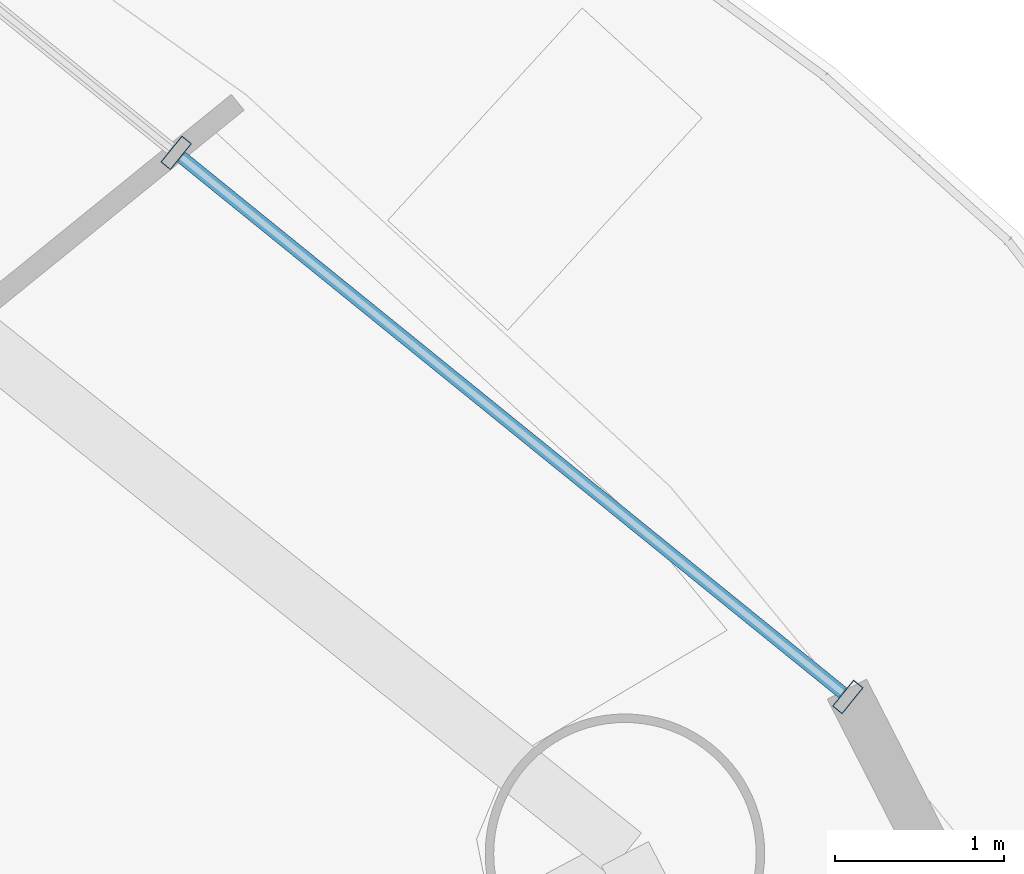
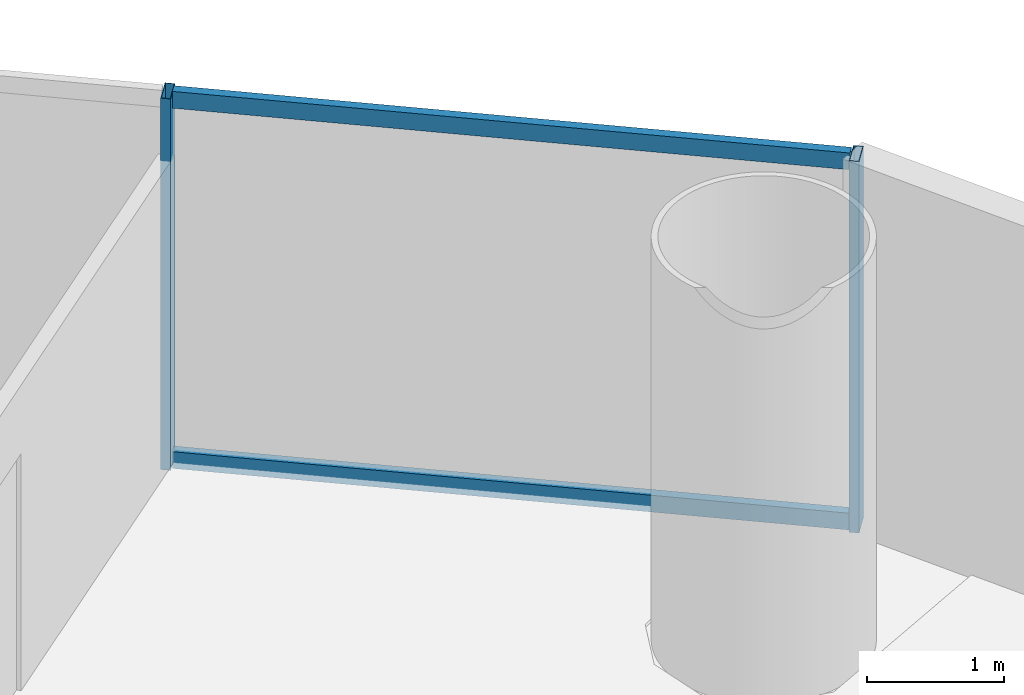
# One storey, part 19 of 28: 4 members, 1 element without a shape of its own.
"""IFC4 building model written with IfcOpenShell, lengths in metres."""

from ifc_helpers import new_model, si_unit, direction, frame, origin, origin_2d, place, context, subcontext, project, spatial, hollow_rectangle, extrude, source, transform, mapped, material, material_profile, profile_set, type_object, element, aggregate, save


model = new_model("IFC4")

# Units and contexts
model_context = context("Model", 3, precision=1e-05, world=origin(), true_north=direction((-0.2419218956, 0.970295726276)))
body_context = subcontext(model_context, "Body", "Model", "MODEL_VIEW")
ifc_project = project(units=[si_unit("LENGTHUNIT", "METRE"), si_unit("AREAUNIT", "SQUARE_METRE"), si_unit("VOLUMEUNIT", "CUBIC_METRE"), si_unit("PLANEANGLEUNIT", "RADIAN"), si_unit("MASSUNIT", "GRAM", prefix="KILO")], contexts=[model_context])

# Site, building, storey
site_placement = place(None, origin())
site = spatial("IfcSite", under=ifc_project, at=site_placement, CompositionType="ELEMENT")
building_placement = place(site_placement, origin())
building = spatial("IfcBuilding", under=site, at=building_placement, Name="Cobrevalo Terracotta Tower", CompositionType="ELEMENT")
storey_placement = place(building_placement, frame((0.0, 0.0, 34.800048828125)))
storey = spatial("IfcBuildingStorey", under=building, at=storey_placement, Name="L08", CompositionType="ELEMENT", Elevation=34.800048828125)

# Curtain wall, members
ifc_material = material(Name="Anodized aluminium", Category="aluminium")
curtain_wall_type = type_object("IfcCurtainWallType", Name="Lower-tower unitised acoustic low-E curtain wall CW-U1", PredefinedType="NOTDEFINED", material=ifc_material)
curtain_wall_placement = place(storey_placement, origin())
curtain_wall = element("IfcCurtainWall", 1, at=curtain_wall_placement, inside=storey, type_object=curtain_wall_type, Name="L08 curtain wall CW-L08-S02", PredefinedType="NOTDEFINED")
ifc_material_profile_1 = material_profile(ifc_material, hollow_rectangle(XDim=0.074951171875, YDim=0.199951171875, WallThickness=0.0048828125, at=origin_2d()), Name="CWM 75x200")
ifc_profile_set_1 = profile_set([ifc_material_profile_1], Name="Anodized aluminium")
member_type_1 = type_object("IfcMemberType", Name="Lower/mid tower unitised mullion 75x200", PredefinedType="MULLION", material=ifc_profile_set_1)
shared_shape_1 = source(origin(), body_context, "Body", "SweptSolid", [
    extrude(hollow_rectangle(XDim=0.074951171875, YDim=0.199951171875, WallThickness=0.0048828125, at=origin_2d()), origin(), (0.0, 0.0, 1.0), 3.320068359375),
])
member_1_placement = place(storey_placement, frame((62.056640625, 39.864501953125, 0.0), z_axis=(0.0, 0.0, 1.0), x_axis=(-0.777003153187, 0.629496703675, 0.0)))
member_1 = element("IfcMember", 2, at=member_1_placement, type_object=member_type_1, Name="CW-L08-S02 vertical mullion 01", PredefinedType="MULLION", context=body_context, shape_type="MappedRepresentation", body=[
    mapped(shared_shape_1, transform((0.0, 0.0, 0.0), scale=1.0)),
])
member_2_placement = place(storey_placement, frame((58.09130859375, 43.076904296875, 0.0), z_axis=(0.0, 0.0, 1.0), x_axis=(-0.777003153187, 0.629496703675, 0.0)))
member_2 = element("IfcMember", 3, at=member_2_placement, type_object=member_type_1, Name="CW-L08-S02 vertical mullion 02", PredefinedType="MULLION", context=body_context, shape_type="MappedRepresentation", body=[
    mapped(shared_shape_1, transform((0.0, 0.0, 0.0), scale=1.0)),
])
ifc_material_profile_2 = material_profile(ifc_material, hollow_rectangle(XDim=0.074951171875, YDim=0.14990234375, WallThickness=0.00439453125, at=origin_2d()), Name="CWT 75x150")
ifc_profile_set_2 = profile_set([ifc_material_profile_2], Name="Anodized aluminium")
member_type_2 = type_object("IfcMemberType", Name="Tower unitised aluminium transom 75x150", PredefinedType="USERDEFINED", material=ifc_profile_set_2)
shared_shape_2 = source(origin(), body_context, "Body", "SweptSolid", [
    extrude(hollow_rectangle(XDim=0.074951171875, YDim=0.14990234375, WallThickness=0.00439453125, at=origin_2d()), origin(), (0.0, 0.0, 1.0), 5.0234375),
])
member_3_placement = place(storey_placement, frame((62.025634765625, 39.8896484375, 0.050048828125), z_axis=(-0.777022991593, 0.629472215857, 0.0), x_axis=(-0.629472215857, -0.777022991593, 0.0)))
member_3 = element("IfcMember", 4, at=member_3_placement, type_object=member_type_2, Name="CW-L08-S02 transom B01-T1", ObjectType="TRANSOM", PredefinedType="USERDEFINED", context=body_context, shape_type="MappedRepresentation", body=[
    mapped(shared_shape_2, transform((0.0, 0.0, 0.0), scale=1.0)),
])
member_4_placement = place(storey_placement, frame((62.025634765625, 39.8896484375, 3.27001953125), z_axis=(-0.777022991593, 0.629472215857, 0.0), x_axis=(-0.629472215857, -0.777022991593, 0.0)))
member_4 = element("IfcMember", 5, at=member_4_placement, type_object=member_type_2, Name="CW-L08-S02 transom B01-T2", ObjectType="TRANSOM", PredefinedType="USERDEFINED", context=body_context, shape_type="MappedRepresentation", body=[
    mapped(shared_shape_2, transform((0.0, 0.0, 0.0), scale=1.0)),
])
aggregate(curtain_wall, [member_1, member_2, member_3, member_4])

save(model, "model.ifc")
